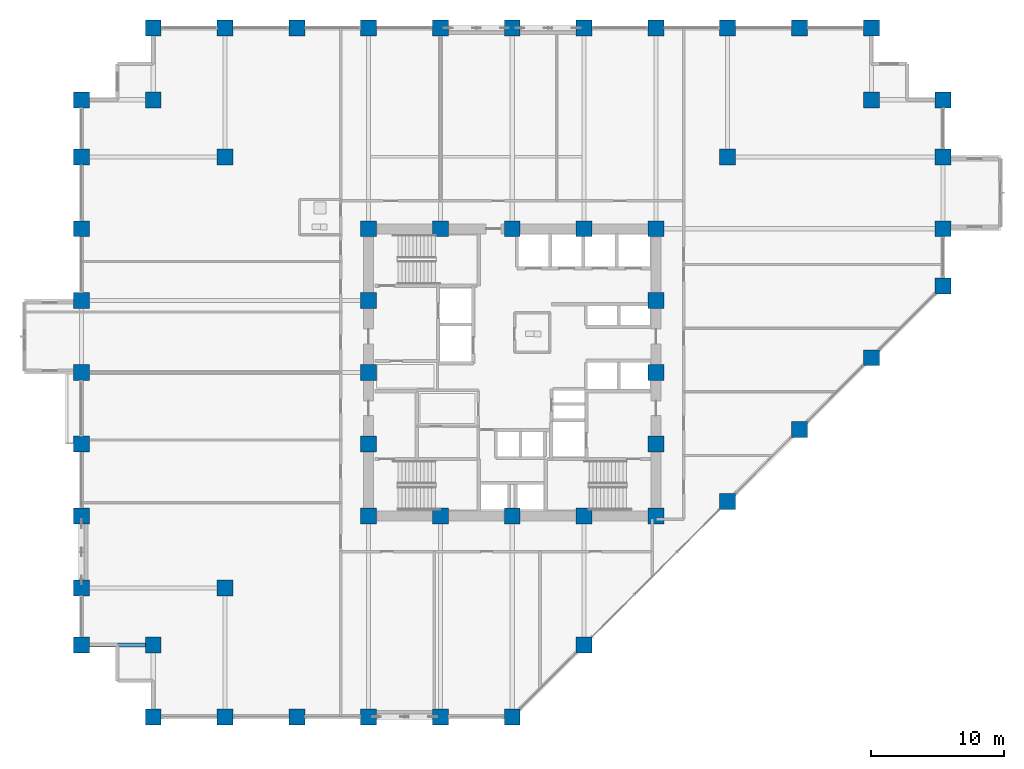
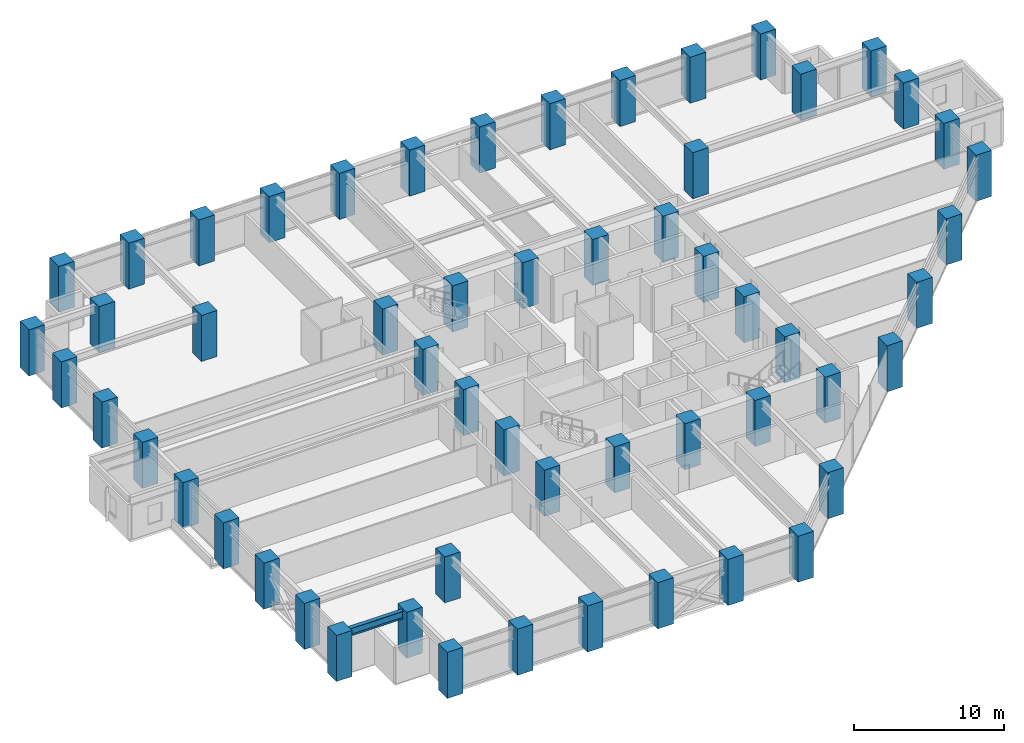
# One storey, part 1 of 28: 56 columns, 1 beam.
"""IFC4 building model written with IfcOpenShell, lengths in metres."""

from ifc_helpers import new_model, si_unit, direction, frame, origin, origin_2d, place, context, subcontext, project, spatial, rectangle, i_section, extrude, material, material_profile, profile_set, type_object, element, save


model = new_model("IFC4")

# Units and contexts
model_context = context("Model", 3, precision=1e-05, world=origin(), true_north=direction((0.0, 1.0)))
body_context = subcontext(model_context, "Body", "Model", "MODEL_VIEW")
ifc_project = project(units=[si_unit("LENGTHUNIT", "METRE"), si_unit("AREAUNIT", "SQUARE_METRE"), si_unit("VOLUMEUNIT", "CUBIC_METRE"), si_unit("PLANEANGLEUNIT", "RADIAN"), si_unit("MASSUNIT", "GRAM", prefix="KILO")], contexts=[model_context])

# Site, building, storey
site_placement = place(None, origin())
site = spatial("IfcSite", under=ifc_project, at=site_placement, CompositionType="ELEMENT")
building_placement = place(site_placement, origin())
building = spatial("IfcBuilding", under=site, at=building_placement, Name="Surkhivell Harbour Commons", CompositionType="ELEMENT")
storey_placement = place(building_placement, frame((0.0, 0.0, 63.75)))
storey = spatial("IfcBuildingStorey", under=building, at=storey_placement, Name="L16", CompositionType="ELEMENT", Elevation=63.75)

# Columns
ifc_material_1 = material(Name="Concrete C80/95", Category="concrete")
ifc_material_profile_1 = material_profile(ifc_material_1, rectangle(XDim=1.199951171875, YDim=1.199951171875, at=origin_2d()), Name="RC-COL-1200x1200")
ifc_profile_set_1 = profile_set([ifc_material_profile_1], Name="Concrete C80/95")
column_type = type_object("IfcColumnType", Name="COL-TUBE-Z1B", PredefinedType="COLUMN", material=ifc_profile_set_1)
for number, where, z_axis, x_axis, name in (
    (1, (-32.39990234375, -20.5, 0.0), (0.0, 0.0, 1.0), (1.0, 0.0, 0.0), "L16 Column CT-1B (-32.4,-20.5)"),
    (2, (-32.39990234375, -16.199951171875, 0.0), (0.0, 0.0, 1.0), (1.0, 0.0, 0.0), "L16 Column CT-1B (-32.4,-16.2)"),
    (3, (-32.39990234375, -10.800048828125, 0.0), (0.0, 0.0, 1.0), (1.0, 0.0, 0.0), "L16 Column CT-1B (-32.4,-10.8)"),
    (4, (-32.39990234375, -5.39990234375, 0.0), (0.0, 0.0, 1.0), (1.0, 0.0, 0.0), "L16 Column CT-1B (-32.4,-5.4)"),
    (5, (-32.39990234375, 0.0, 0.0), (0.0, 0.0, 1.0), (1.0, 0.0, 0.0), "L16 Column CT-1B (-32.4,0.0)"),
    (6, (-32.39990234375, 5.39990234375, 0.0), (0.0, 0.0, 1.0), (1.0, 0.0, 0.0), "L16 Column CT-1B (-32.4,5.4)"),
    (7, (-32.39990234375, 10.800048828125, 0.0), (0.0, 0.0, 1.0), (1.0, 0.0, 0.0), "L16 Column CT-1B (-32.4,10.8)"),
    (8, (-32.39990234375, 16.199951171875, 0.0), (0.0, 0.0, 1.0), (1.0, 0.0, 0.0), "L16 Column CT-1B (-32.4,16.2)"),
    (9, (-32.39990234375, 20.5, 0.0), (0.0, 0.0, 1.0), (1.0, 0.0, 0.0), "L16 Column CT-1B (-32.4,20.5)"),
    (10, (-27.0, -25.89990234375, 0.0), (0.0, 0.0, 1.0), (1.0, 0.0, 0.0), "L16 Column CT-1B (-27.0,-25.9)"),
    (11, (-27.0, -20.5, 0.0), (0.0, 0.0, 1.0), (1.0, 0.0, 0.0), "L16 Column CT-1B (-27.0,-20.5)"),
    (12, (-27.0, 20.5, 0.0), (0.0, 0.0, 1.0), (1.0, 0.0, 0.0), "L16 Column CT-1B (-27.0,20.5)"),
    (13, (-27.0, 25.89990234375, 0.0), (0.0, 0.0, 1.0), (1.0, 0.0, 0.0), "L16 Column CT-1B (-27.0,25.9)"),
    (14, (-21.60009765625, -25.89990234375, 0.0), (0.0, 0.0, 1.0), (1.0, 0.0, 0.0), "L16 Column CT-1B (-21.6,-25.9)"),
    (15, (-21.60009765625, -16.199951171875, 0.0), (0.0, 0.0, 1.0), (1.0, 0.0, 0.0), "L16 Column CT-1B (-21.6,-16.2)"),
    (16, (-21.60009765625, 16.199951171875, 0.0), (0.0, 0.0, 1.0), (1.0, 0.0, 0.0), "L16 Column CT-1B (-21.6,16.2)"),
    (17, (-21.60009765625, 25.89990234375, 0.0), (0.0, 0.0, 1.0), (1.0, 0.0, 0.0), "L16 Column CT-1B (-21.6,25.9)"),
    (18, (-16.199951171875, -25.89990234375, 0.0), (0.0, 0.0, 1.0), (1.0, 0.0, 0.0), "L16 Column CT-1B (-16.2,-25.9)"),
    (19, (-16.199951171875, 25.89990234375, 0.0), (0.0, 0.0, 1.0), (1.0, 0.0, 0.0), "L16 Column CT-1B (-16.2,25.9)"),
    (20, (-10.800048828125, -25.89990234375, 0.0), (0.0, 0.0, 1.0), (1.0, 0.0, 0.0), "L16 Column CT-1B (-10.8,-25.9)"),
    (21, (-10.800048828125, -10.800048828125, 0.0), (0.0, 0.0, 1.0), (1.0, 0.0, 0.0), "L16 Column CT-1B (-10.8,-10.8)"),
    (22, (-10.800048828125, -5.39990234375, 0.0), (0.0, 0.0, 1.0), (1.0, 0.0, 0.0), "L16 Column CT-1B (-10.8,-5.4)"),
    (23, (-10.800048828125, 0.0, 0.0), (0.0, 0.0, 1.0), (1.0, 0.0, 0.0), "L16 Column CT-1B (-10.8,0.0)"),
    (24, (-10.800048828125, 5.39990234375, 0.0), (0.0, 0.0, 1.0), (1.0, 0.0, 0.0), "L16 Column CT-1B (-10.8,5.4)"),
    (25, (-10.800048828125, 10.800048828125, 0.0), (0.0, 0.0, 1.0), (1.0, 0.0, 0.0), "L16 Column CT-1B (-10.8,10.8)"),
    (26, (-10.800048828125, 25.89990234375, 0.0), (0.0, 0.0, 1.0), (1.0, 0.0, 0.0), "L16 Column CT-1B (-10.8,25.9)"),
    (27, (-5.39990234375, -25.89990234375, 0.0), (0.0, 0.0, 1.0), (1.0, 0.0, 0.0), "L16 Column CT-1B (-5.4,-25.9)"),
    (28, (-5.39990234375, -10.800048828125, 0.0), (0.0, 0.0, 1.0), (1.0, 0.0, 0.0), "L16 Column CT-1B (-5.4,-10.8)"),
    (29, (-5.39990234375, 10.800048828125, 0.0), (0.0, 0.0, 1.0), (1.0, 0.0, 0.0), "L16 Column CT-1B (-5.4,10.8)"),
    (30, (-5.39990234375, 25.89990234375, 0.0), (0.0, 0.0, 1.0), (1.0, 0.0, 0.0), "L16 Column CT-1B (-5.4,25.9)"),
    (31, (0.0, -25.89990234375, 0.0), (0.0, 0.0, 1.0), (1.0, 0.0, 0.0), "L16 Column CT-1B (-0.0,-25.9)"),
    (32, (0.0, -10.800048828125, 0.0), (0.0, 0.0, 1.0), (1.0, 0.0, 0.0), "L16 Column CT-1B (0.0,-10.8)"),
    (33, (0.0, 10.800048828125, 0.0), (0.0, 0.0, 1.0), (1.0, 0.0, 0.0), "L16 Column CT-1B (0.0,10.8)"),
    (34, (0.0, 25.89990234375, 0.0), (0.0, 0.0, 1.0), (1.0, 0.0, 0.0), "L16 Column CT-1B (-0.0,25.9)"),
    (35, (5.39990234375, -20.5, 0.0), (0.0, 0.0, 1.0), (1.0, 0.0, 0.0), "L16 Column CT-1B (5.4,-20.5)"),
    (36, (5.39990234375, -10.800048828125, 0.0), (0.0, 0.0, 1.0), (1.0, 0.0, 0.0), "L16 Column CT-1B (5.4,-10.8)"),
    (37, (5.39990234375, 10.800048828125, 0.0), (0.0, 0.0, 1.0), (1.0, 0.0, 0.0), "L16 Column CT-1B (5.4,10.8)"),
    (38, (5.39990234375, 25.89990234375, 0.0), (0.0, 0.0, 1.0), (1.0, 0.0, 0.0), "L16 Column CT-1B (5.4,25.9)"),
    (39, (10.800048828125, -10.800048828125, 0.0), (0.0, 0.0, 1.0), (1.0, 0.0, 0.0), "L16 Column CT-1B (10.8,-10.8)"),
    (40, (10.800048828125, -5.39990234375, 0.0), (0.0, 0.0, 1.0), (1.0, 0.0, 0.0), "L16 Column CT-1B (10.8,-5.4)"),
    (41, (10.800048828125, 0.0, 0.0), (0.0, 0.0, 1.0), (1.0, 0.0, 0.0), "L16 Column CT-1B (10.8,0.0)"),
    (42, (10.800048828125, 5.39990234375, 0.0), (0.0, 0.0, 1.0), (1.0, 0.0, 0.0), "L16 Column CT-1B (10.8,5.4)"),
    (43, (10.800048828125, 10.800048828125, 0.0), (0.0, 0.0, 1.0), (1.0, 0.0, 0.0), "L16 Column CT-1B (10.8,10.8)"),
    (44, (10.800048828125, 25.89990234375, 0.0), (0.0, 0.0, 1.0), (1.0, 0.0, 0.0), "L16 Column CT-1B (10.8,25.9)"),
    (45, (16.199951171875, -9.699951171875, 0.0), (0.0, 0.0, 1.0), (1.0, 0.0, 0.0), "L16 Column CT-1B (16.2,-9.7)"),
    (46, (16.199951171875, 16.199951171875, 0.0), (0.0, 0.0, 1.0), (1.0, 0.0, 0.0), "L16 Column CT-1B (16.2,16.2)"),
    (47, (16.199951171875, 25.89990234375, 0.0), (0.0, 0.0, 1.0), (1.0, 0.0, 0.0), "L16 Column CT-1B (16.2,25.9)"),
    (48, (21.60009765625, -4.300048828125, 0.0), (0.0, 0.0, 1.0), (1.0, 0.0, 0.0), "L16 Column CT-1B (21.6,-4.3)"),
    (49, (21.60009765625, 25.89990234375, 0.0), (0.0, 0.0, 1.0), (1.0, 0.0, 0.0), "L16 Column CT-1B (21.6,25.9)"),
    (50, (27.0, 1.10009765625, 0.0), (0.0, 0.0, 1.0), (1.0, 0.0, 0.0), "L16 Column CT-1B (27.0,1.1)"),
    (51, (27.0, 20.5, 0.0), (0.0, 0.0, 1.0), (1.0, 0.0, 0.0), "L16 Column CT-1B (27.0,20.5)"),
    (52, (27.0, 25.89990234375, 0.0), (0.0, 0.0, 1.0), (1.0, 0.0, 0.0), "L16 Column CT-1B (27.0,25.9)"),
    (53, (32.39990234375, 6.5, 0.0), (0.0, 0.0, 1.0), (1.0, 0.0, 0.0), "L16 Column CT-1B (32.4,6.5)"),
    (54, (32.39990234375, 10.800048828125, 0.0), (0.0, 0.0, 1.0), (1.0, 0.0, 0.0), "L16 Column CT-1B (32.4,10.8)"),
    (55, (32.39990234375, 16.199951171875, 0.0), (0.0, 0.0, 1.0), (1.0, 0.0, 0.0), "L16 Column CT-1B (32.4,16.2)"),
    (56, (32.39990234375, 20.5, 0.0), (0.0, 0.0, 1.0), (1.0, 0.0, 0.0), "L16 Column CT-1B (32.4,20.5)"),
):
    element("IfcColumn", number, at=place(storey_placement, frame(where, z_axis=z_axis, x_axis=x_axis)), inside=storey, type_object=column_type, Name=name, PredefinedType="COLUMN", context=body_context, shape_type="SweptSolid", body=[
        extrude(rectangle(XDim=1.199951171875, YDim=1.199951171875, at=origin_2d()), origin(), (0.0, 0.0, 1.0), 3.75),
    ])

# Beam
ifc_material_2 = material(Name="Steel S355", Category="steel")
ifc_material_profile_2 = material_profile(ifc_material_2, i_section(OverallWidth=0.306884765625, OverallDepth=0.6201171875, WebThickness=0.01416015625, FlangeThickness=0.023681640625, at=origin_2d()), Name="UB610x305x179")
ifc_profile_set_2 = profile_set([ifc_material_profile_2], Name="Steel S355")
beam_type = type_object("IfcBeamType", Name="BM-GRD-610A", PredefinedType="BEAM", material=ifc_profile_set_2)
beam_placement = place(storey_placement, frame((-32.39990234375, -20.5, 3.260009765625), z_axis=(1.0, 0.0, 0.0), x_axis=(0.0, 1.0, 0.0)))
element("IfcBeam", 57, at=beam_placement, inside=storey, type_object=beam_type, Name="L16 Floor Girder (-32.4,-20.5)", PredefinedType="BEAM", context=body_context, shape_type="SweptSolid", body=[
    extrude(i_section(OverallWidth=0.306884765625, OverallDepth=0.6201171875, WebThickness=0.01416015625, FlangeThickness=0.023681640625, at=origin_2d()), origin(), (0.0, 0.0, 1.0), 5.39990234375),
])

save(model, "model.ifc")
